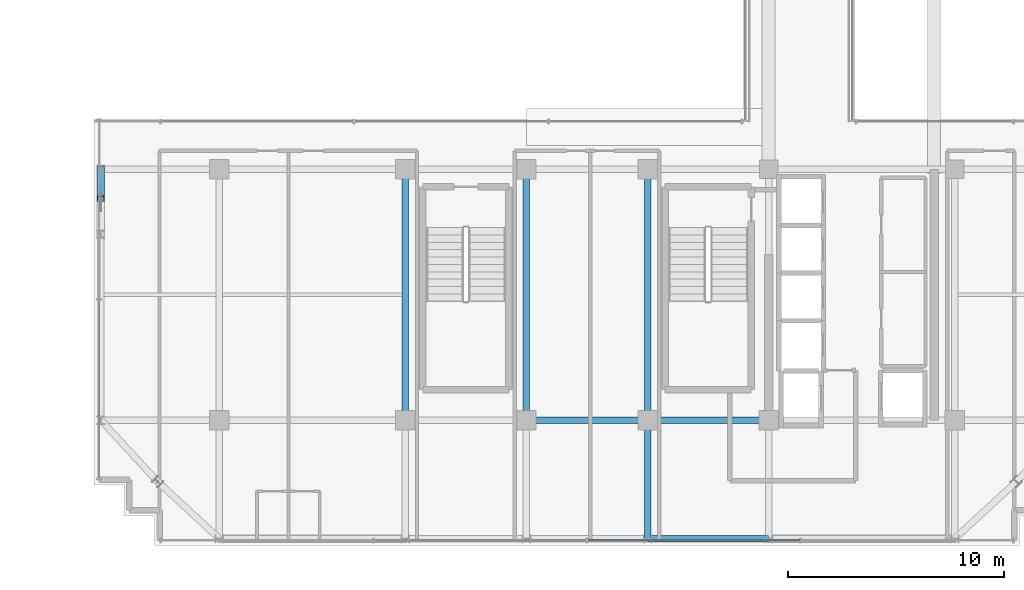
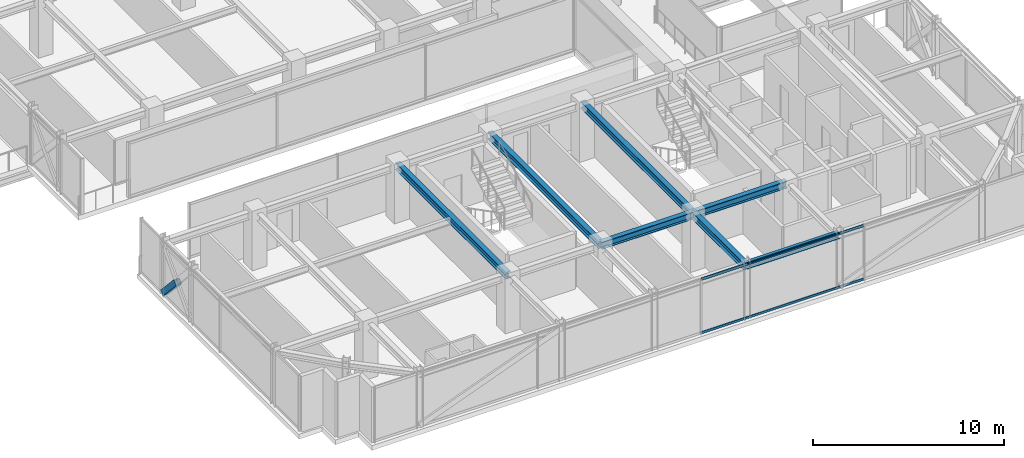
# One storey, part 9 of 40: 7 beams, 3 members, 1 element without a shape of its own.
"""IFC4 building model written with IfcOpenShell, lengths in metres."""

from ifc_helpers import new_model, si_unit, direction, frame, origin, origin_2d, place, context, subcontext, project, spatial, hollow_rectangle, i_section, extrude, source, transform, mapped, material, material_profile, profile_set, type_object, element, aggregate, save


model = new_model("IFC4")

# Units and contexts
model_context = context("Model", 3, precision=1e-05, world=origin(), true_north=direction((0.0, 1.0)))
body_context = subcontext(model_context, "Body", "Model", "MODEL_VIEW")
ifc_project = project(units=[si_unit("LENGTHUNIT", "METRE"), si_unit("AREAUNIT", "SQUARE_METRE"), si_unit("VOLUMEUNIT", "CUBIC_METRE"), si_unit("PLANEANGLEUNIT", "RADIAN"), si_unit("MASSUNIT", "GRAM", prefix="KILO")], contexts=[model_context])

# Site, building, storey
site_placement = place(None, origin())
site = spatial("IfcSite", under=ifc_project, at=site_placement, CompositionType="ELEMENT")
building_placement = place(site_placement, origin())
building = spatial("IfcBuilding", under=site, at=building_placement, Name="Nahalor Promenade Grand Hotel", CompositionType="ELEMENT")
storey_placement = place(building_placement, frame((0.0, 0.0, 288.800048828125)))
storey = spatial("IfcBuildingStorey", under=building, at=storey_placement, Name="L74", CompositionType="ELEMENT", Elevation=288.800048828125)

# Beams
ifc_material_1 = material(Name="Steel S355JR", Category="steel")
ifc_material_profile_1 = material_profile(ifc_material_1, i_section(OverallWidth=0.3, OverallDepth=0.45, WebThickness=0.014, FlangeThickness=0.026, at=origin_2d()), Name="HEB 450")
ifc_profile_set_1 = profile_set([ifc_material_profile_1], Name="Steel S355JR")
beam_type_1 = type_object("IfcBeamType", Name="Beam-Girder-HEB450", PredefinedType="BEAM", material=ifc_profile_set_1)
shared_shape_1 = source(origin(), body_context, "Body", "SweptSolid", [
    extrude(i_section(OverallWidth=0.3, OverallDepth=0.45, WebThickness=0.014, FlangeThickness=0.026, at=origin_2d()), origin(), (0.0, 0.0, 1.0), 5.599853515625),
])
beam_1_placement = place(storey_placement, frame((2.800048828125, -17.0, 3.324951171875), z_axis=(1.0, 0.0, 0.0), x_axis=(0.0, 1.0, 0.0)))
element("IfcBeam", 1, at=beam_1_placement, inside=storey, type_object=beam_type_1, Name="BM-L74-GX-0-4", PredefinedType="BEAM", context=body_context, shape_type="MappedRepresentation", body=[
    mapped(shared_shape_1, transform((0.0, 0.0, 0.0), scale=1.0)),
])
shared_shape_2 = source(origin(), body_context, "Body", "SweptSolid", [
    extrude(i_section(OverallWidth=0.3, OverallDepth=0.45, WebThickness=0.014, FlangeThickness=0.026, at=origin_2d()), origin(), (0.0, 0.0, 1.0), 5.60009765625),
])
beam_2_placement = place(storey_placement, frame((-2.800048828125, -17.0, 3.324951171875), z_axis=(1.0, 0.0, 0.0), x_axis=(0.0, 1.0, 0.0)))
element("IfcBeam", 2, at=beam_2_placement, inside=storey, type_object=beam_type_1, Name="BM-L74-GX-0-3", PredefinedType="BEAM", context=body_context, shape_type="MappedRepresentation", body=[
    mapped(shared_shape_2, transform((0.0, 0.0, 0.0), scale=1.0)),
])
shared_shape_3 = source(origin(), body_context, "Body", "SweptSolid", [
    extrude(i_section(OverallWidth=0.3, OverallDepth=0.45, WebThickness=0.014, FlangeThickness=0.026, at=origin_2d()), origin(), (0.0, 0.0, 1.0), 11.60009765625),
])
for number, where, z_axis, x_axis, name in (
    (3, (-8.39990234375, -17.0, 3.324951171875), (0.0, 1.0, 0.0), (-1.0, 0.0, 0.0), "BM-L74-GY-1-1"),
    (4, (-2.800048828125, -17.0, 3.324951171875), (0.0, 1.0, 0.0), (-1.0, 0.0, 0.0), "BM-L74-GY-2-1"),
    (5, (2.800048828125, -17.0, 3.324951171875), (0.0, 1.0, 0.0), (-1.0, 0.0, 0.0), "BM-L74-GY-3-1"),
):
    element("IfcBeam", number, at=place(storey_placement, frame(where, z_axis=z_axis, x_axis=x_axis)), inside=storey, type_object=beam_type_1, Name=name, PredefinedType="BEAM", context=body_context, shape_type="MappedRepresentation", body=[
        mapped(shared_shape_3, transform((0.0, 0.0, 0.0), scale=1.0)),
    ])
shared_shape_4 = source(origin(), body_context, "Body", "SweptSolid", [
    extrude(i_section(OverallWidth=0.3, OverallDepth=0.45, WebThickness=0.014, FlangeThickness=0.026, at=origin_2d()), origin(), (0.0, 0.0, 1.0), 5.47998046875),
])
beam_3_placement = place(storey_placement, frame((2.800048828125, -22.47998046875, 3.324951171875), z_axis=(0.0, 1.0, 0.0), x_axis=(-1.0, 0.0, 0.0)))
element("IfcBeam", 6, at=beam_3_placement, inside=storey, type_object=beam_type_1, Name="BM-L74-GY-3-0", PredefinedType="BEAM", context=body_context, shape_type="MappedRepresentation", body=[
    mapped(shared_shape_4, transform((0.0, 0.0, 0.0), scale=1.0)),
])
ifc_material_profile_2 = material_profile(ifc_material_1, i_section(OverallWidth=0.3, OverallDepth=0.36, WebThickness=0.0125, FlangeThickness=0.0225, at=origin_2d()), Name="HEB 360")
ifc_profile_set_2 = profile_set([ifc_material_profile_2], Name="Steel S355JR")
beam_type_2 = type_object("IfcBeamType", Name="Beam-Spandrel-HEB360", PredefinedType="SPANDREL", material=ifc_profile_set_2)
shared_shape_5 = source(origin(), body_context, "Body", "SweptSolid", [
    extrude(i_section(OverallWidth=0.3, OverallDepth=0.36, WebThickness=0.0125, FlangeThickness=0.0225, at=origin_2d()), origin(), (0.0, 0.0, 1.0), 5.599853515625),
])
beam_4_placement = place(storey_placement, frame((2.800048828125, -22.47998046875, 3.369873046875), z_axis=(1.0, 0.0, 0.0), x_axis=(0.0, 1.0, 0.0)))
element("IfcBeam", 7, at=beam_4_placement, inside=storey, type_object=beam_type_2, Name="BM-L74-SP-S-3", PredefinedType="SPANDREL", context=body_context, shape_type="MappedRepresentation", body=[
    mapped(shared_shape_5, transform((0.0, 0.0, 0.0), scale=1.0)),
])

# Member
ifc_material_profile_3 = material_profile(ifc_material_1, hollow_rectangle(XDim=0.35, YDim=0.35, WallThickness=0.02, at=origin_2d()), Name="SHS 350x350x20")
ifc_profile_set_3 = profile_set([ifc_material_profile_3], Name="Steel S355JR")
member_type_1 = type_object("IfcMemberType", Name="Mem-VoidBrace-SHS350", PredefinedType="BRACE", material=ifc_profile_set_3)
shared_shape_6 = source(origin(), body_context, "Body", "SweptSolid", [
    extrude(hollow_rectangle(XDim=0.35, YDim=0.35, WallThickness=0.02, at=origin_2d()), origin(), (0.0, 0.0, 1.0), 2.02392578125),
])
member_1_placement = place(storey_placement, frame((-22.47998046875, -5.39990234375, 0.14990234375), z_axis=(0.0, -0.678255053132, 0.734826566545), x_axis=(1.0, 0.0, 0.0)))
element("IfcMember", 8, at=member_1_placement, inside=storey, type_object=member_type_1, Name="EXO-L74-VX2-W0A", PredefinedType="BRACE", context=body_context, shape_type="MappedRepresentation", body=[
    mapped(shared_shape_6, transform((0.0, 0.0, 0.0), scale=1.0)),
])

# Curtain wall, members
ifc_material_2 = material(Name="Anodised Bronze Aluminium EN AW-6063 T6", Category="aluminium")
curtain_wall_type = type_object("IfcCurtainWallType", Name="CW3 Elliptical-Void Collar Unitised Curtain Wall", PredefinedType="USERDEFINED", material=ifc_material_2)
curtain_wall_placement = place(storey_placement, origin())
curtain_wall = element("IfcCurtainWall", 9, at=curtain_wall_placement, inside=storey, type_object=curtain_wall_type, Name="L74 Curtain Wall CW-L74-S-1", ObjectType="UNITISED_CURTAIN_WALL", PredefinedType="USERDEFINED")
ifc_material_profile_4 = material_profile(ifc_material_2, hollow_rectangle(XDim=0.07, YDim=0.14, WallThickness=0.004, at=origin_2d()), Name="CWT 70x140x4")
ifc_profile_set_4 = profile_set([ifc_material_profile_4], Name="Anodised Bronze Aluminium EN AW-6063 T6")
member_type_2 = type_object("IfcMemberType", Name="CWT3 Void Collar Transom 70x140", PredefinedType="USERDEFINED", material=ifc_profile_set_4)
shared_shape_7 = source(origin(), body_context, "Body", "SweptSolid", [
    extrude(hollow_rectangle(XDim=0.07, YDim=0.14, WallThickness=0.004, at=origin_2d()), origin(), (0.0, 0.0, 1.0), 9.81005859375),
])
member_2_placement = place(storey_placement, frame((0.034912109375, -22.56005859375, 0.070068359375), z_axis=(1.0, 0.0, 0.0), x_axis=(0.0, 1.0, 0.0)))
member_2 = element("IfcMember", 10, at=member_2_placement, type_object=member_type_2, Name="CW-L74-S-1 Transom 2-0", ObjectType="TRANSOM", PredefinedType="USERDEFINED", context=body_context, shape_type="MappedRepresentation", body=[
    mapped(shared_shape_7, transform((0.0, 0.0, 0.0), scale=1.0)),
])
member_3_placement = place(storey_placement, frame((0.034912109375, -22.56005859375, 3.47998046875), z_axis=(1.0, 0.0, 0.0), x_axis=(0.0, 1.0, 0.0)))
member_3 = element("IfcMember", 11, at=member_3_placement, type_object=member_type_2, Name="CW-L74-S-1 Transom 2-1", ObjectType="TRANSOM", PredefinedType="USERDEFINED", context=body_context, shape_type="MappedRepresentation", body=[
    mapped(shared_shape_7, transform((0.0, 0.0, 0.0), scale=1.0)),
])
aggregate(curtain_wall, [member_2, member_3])

save(model, "model.ifc")
